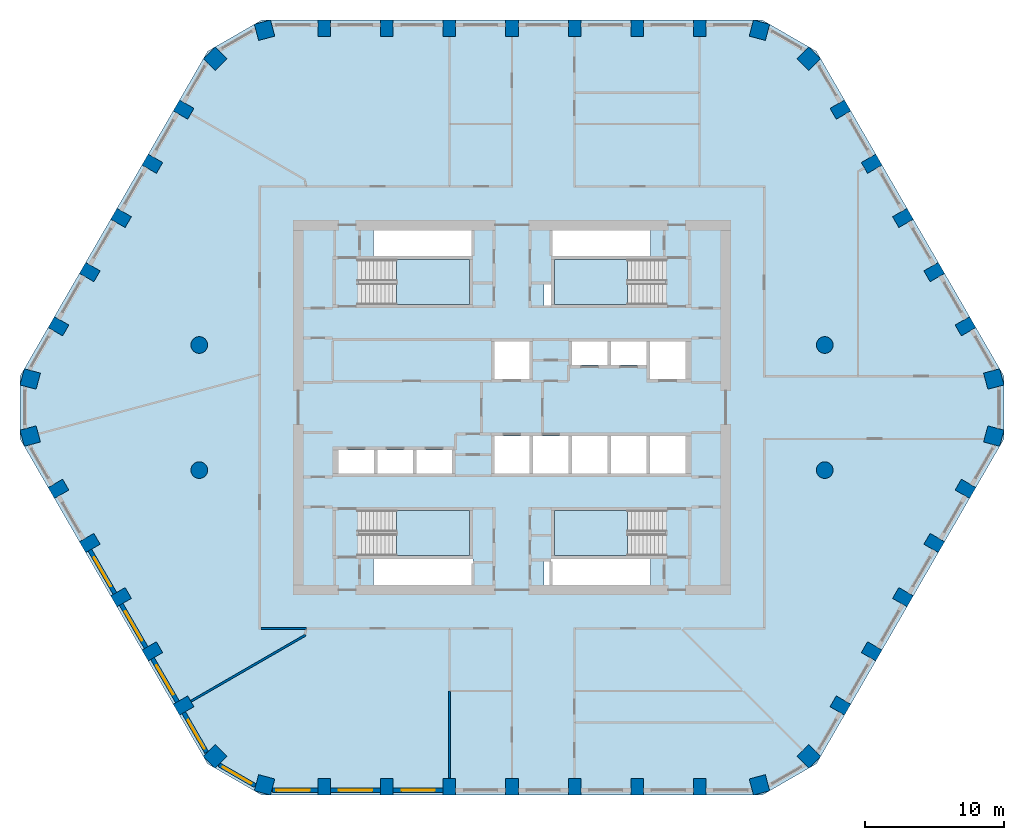
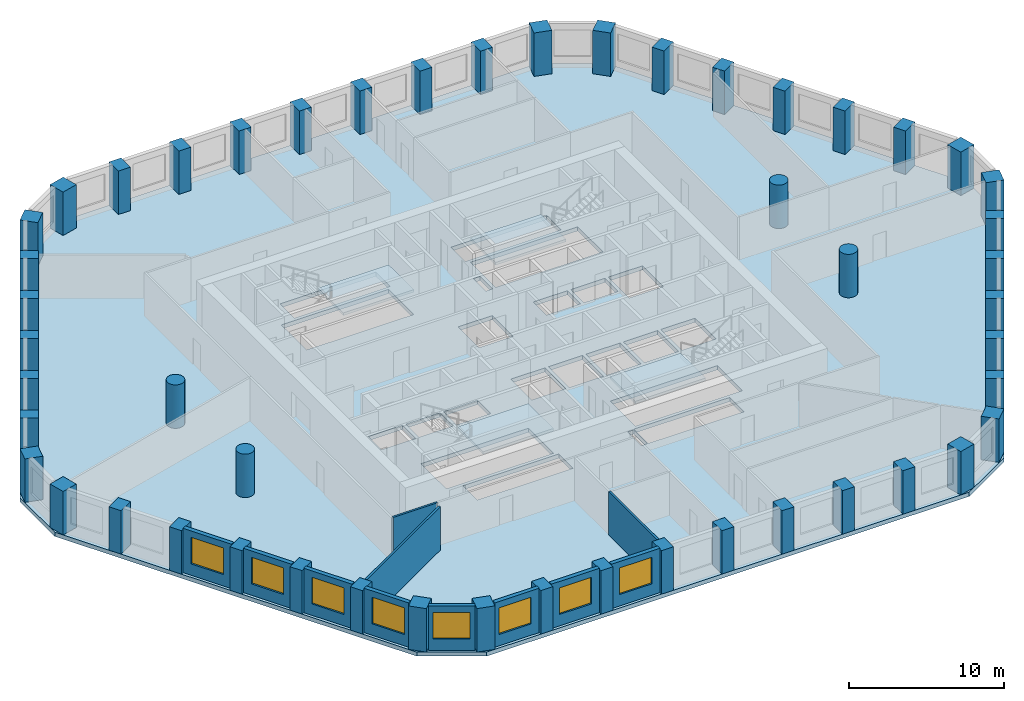
# One storey, part 1 of 9: 50 columns, 11 walls, 8 windows, 5 slabs, 8 openings, 4 elements without a shape of their own.
"""IFC4 building model written with IfcOpenShell, lengths in metres."""

from ifc_helpers import new_model, si_unit, direction, frame, frame_2d, origin, origin_2d, place, context, subcontext, project, spatial, polyline, rectangle, circle, outline, extrude, material, layer, layer_set, material_profile, profile_set, type_object, element, fill, aggregate, save


model = new_model("IFC4")

# Units and contexts
model_context = context("Model", 3, precision=1e-05, world=origin(), true_north=direction((0.0, 1.0)))
body_context = subcontext(model_context, "Body", "Model", "MODEL_VIEW")
ifc_project = project(units=[si_unit("LENGTHUNIT", "METRE"), si_unit("AREAUNIT", "SQUARE_METRE"), si_unit("VOLUMEUNIT", "CUBIC_METRE"), si_unit("PLANEANGLEUNIT", "RADIAN"), si_unit("MASSUNIT", "GRAM", prefix="KILO")], contexts=[model_context])

# Site, building, storey
site_placement = place(None, origin())
site = spatial("IfcSite", under=ifc_project, at=site_placement, CompositionType="ELEMENT")
building_placement = place(site_placement, origin())
building = spatial("IfcBuilding", under=site, at=building_placement, Name="Dhurran Vertical Campus", CompositionType="ELEMENT")
storey_placement = place(building_placement, frame((0.0, 0.0, 175.5)))
storey = spatial("IfcBuildingStorey", under=building, at=storey_placement, Name="L43", CompositionType="ELEMENT", Elevation=175.5)

# Columns
ifc_material_1 = material(Name="Concrete C60/75", Category="concrete")
ifc_material_profile_1 = material_profile(ifc_material_1, rectangle(XDim=1.199951171875, YDim=1.199951171875, at=origin_2d()), Name="RC 1200x1200")
ifc_profile_set_1 = profile_set([ifc_material_profile_1], Name="Concrete C60/75")
column_type_1 = type_object("IfcColumnType", Name="FR COL RC 1200x1200 C60/75", PredefinedType="COLUMN", material=ifc_profile_set_1)
for number, where, z_axis, x_axis, name in (
    (1, (-17.802978515625, -27.147705078125, 0.0), (0.0, 0.0, 1.0), (0.965925826289, -0.258819045103, 0.0), "Perimeter pier PP3.00"),
    (2, (17.802978515625, -27.147705078125, 0.0), (0.0, 0.0, 1.0), (0.965925826289, 0.258819045103, 0.0), "Perimeter pier PP3.08"),
    (3, (21.359130859375, -25.0947265625, 0.0), (0.0, 0.0, 1.0), (0.707106781187, 0.707106781187, 0.0), "Perimeter pier PP3.09"),
    (4, (34.662353515625, -2.052978515625, 0.0), (0.0, 0.0, 1.0), (0.258819045103, 0.965925826289, 0.0), "Perimeter pier PP3.15"),
    (5, (34.662353515625, 2.052978515625, 0.0), (0.0, 0.0, 1.0), (-0.258819045103, 0.965925826289, 0.0), "Perimeter pier PP3.16"),
    (6, (21.359130859375, 25.0947265625, 0.0), (0.0, 0.0, 1.0), (-0.707106781187, 0.707106781187, 0.0), "Perimeter pier PP3.22"),
    (7, (17.802978515625, 27.147705078125, 0.0), (0.0, 0.0, 1.0), (-0.965925826289, 0.258819045103, 0.0), "Perimeter pier PP3.23"),
    (8, (-17.802978515625, 27.147705078125, 0.0), (0.0, 0.0, 1.0), (-0.965925826289, -0.258819045103, 0.0), "Perimeter pier PP3.31"),
    (9, (-21.359130859375, 25.0947265625, 0.0), (0.0, 0.0, 1.0), (-0.707106781187, -0.707106781187, 0.0), "Perimeter pier PP3.32"),
    (10, (-34.662353515625, 2.052978515625, 0.0), (0.0, 0.0, 1.0), (-0.258819045103, -0.965925826289, 0.0), "Perimeter pier PP3.38"),
    (11, (-34.662353515625, -2.052978515625, 0.0), (0.0, 0.0, 1.0), (0.258819045103, -0.965925826289, 0.0), "Perimeter pier PP3.39"),
    (12, (-21.359130859375, -25.0947265625, 0.0), (0.0, 0.0, 1.0), (0.707106781187, -0.707106781187, 0.0), "Perimeter pier PP3.45"),
):
    element("IfcColumn", number, at=place(storey_placement, frame(where, z_axis=z_axis, x_axis=x_axis)), inside=storey, type_object=column_type_1, Name=name, PredefinedType="COLUMN", context=body_context, shape_type="SweptSolid", body=[
        extrude(rectangle(XDim=1.199951171875, YDim=1.199951171875, at=origin_2d()), origin(), (0.0, 0.0, 1.0), 3.425048828125),
    ])
ifc_material_2 = material(Name="Concrete C60/75", Category="concrete")
ifc_material_profile_2 = material_profile(ifc_material_2, rectangle(XDim=0.89990234375, YDim=1.199951171875, at=origin_2d()), Name="RC 900x1200")
ifc_profile_set_2 = profile_set([ifc_material_profile_2], Name="Concrete C60/75")
column_type_2 = type_object("IfcColumnType", Name="FR COL RC 900x1200 C60/75", PredefinedType="COLUMN", material=ifc_profile_set_2)
for number, where, z_axis, x_axis, name in (
    (13, (-13.5, -27.28271484375, 0.0), (0.0, 0.0, 1.0), (1.0, 0.0, 0.0), "Perimeter pier PP3.01"),
    (14, (-9.0, -27.28271484375, 0.0), (0.0, 0.0, 1.0), (1.0, 0.0, 0.0), "Perimeter pier PP3.02"),
    (15, (-4.5, -27.28271484375, 0.0), (0.0, 0.0, 1.0), (1.0, 0.0, 0.0), "Perimeter pier PP3.03"),
    (16, (0.0, -27.28271484375, 0.0), (0.0, 0.0, 1.0), (1.0, 0.0, 0.0), "Perimeter pier PP3.04"),
    (17, (4.5, -27.28271484375, 0.0), (0.0, 0.0, 1.0), (1.0, 0.0, 0.0), "Perimeter pier PP3.05"),
    (18, (9.0, -27.28271484375, 0.0), (0.0, 0.0, 1.0), (1.0, 0.0, 0.0), "Perimeter pier PP3.06"),
    (19, (13.5, -27.28271484375, 0.0), (0.0, 0.0, 1.0), (1.0, 0.0, 0.0), "Perimeter pier PP3.07"),
    (20, (23.62744140625, -21.435546875, 0.0), (0.0, 0.0, 1.0), (0.5, 0.866025403784, 0.0), "Perimeter pier PP3.10"),
    (21, (25.87744140625, -17.53857421875, 0.0), (0.0, 0.0, 1.0), (0.5, 0.866025403784, 0.0), "Perimeter pier PP3.11"),
    (22, (28.12744140625, -13.641357421875, 0.0), (0.0, 0.0, 1.0), (0.5, 0.866025403784, 0.0), "Perimeter pier PP3.12"),
    (23, (30.37744140625, -9.744140625, 0.0), (0.0, 0.0, 1.0), (0.5, 0.866025403784, 0.0), "Perimeter pier PP3.13"),
    (24, (32.62744140625, -5.84716796875, 0.0), (0.0, 0.0, 1.0), (0.5, 0.866025403784, 0.0), "Perimeter pier PP3.14"),
    (25, (32.62744140625, 5.84716796875, 0.0), (0.0, 0.0, 1.0), (-0.5, 0.866025403784, 0.0), "Perimeter pier PP3.17"),
    (26, (30.37744140625, 9.744140625, 0.0), (0.0, 0.0, 1.0), (-0.5, 0.866025403784, 0.0), "Perimeter pier PP3.18"),
    (27, (28.12744140625, 13.641357421875, 0.0), (0.0, 0.0, 1.0), (-0.5, 0.866025403784, 0.0), "Perimeter pier PP3.19"),
    (28, (25.87744140625, 17.53857421875, 0.0), (0.0, 0.0, 1.0), (-0.5, 0.866025403784, 0.0), "Perimeter pier PP3.20"),
    (29, (23.62744140625, 21.435546875, 0.0), (0.0, 0.0, 1.0), (-0.5, 0.866025403784, 0.0), "Perimeter pier PP3.21"),
    (30, (13.5, 27.28271484375, 0.0), (0.0, 0.0, 1.0), (-1.0, 0.0, 0.0), "Perimeter pier PP3.24"),
    (31, (9.0, 27.28271484375, 0.0), (0.0, 0.0, 1.0), (-1.0, 0.0, 0.0), "Perimeter pier PP3.25"),
    (32, (4.5, 27.28271484375, 0.0), (0.0, 0.0, 1.0), (-1.0, 0.0, 0.0), "Perimeter pier PP3.26"),
    (33, (0.0, 27.28271484375, 0.0), (0.0, 0.0, 1.0), (-1.0, 0.0, 0.0), "Perimeter pier PP3.27"),
    (34, (-4.5, 27.28271484375, 0.0), (0.0, 0.0, 1.0), (-1.0, 0.0, 0.0), "Perimeter pier PP3.28"),
    (35, (-9.0, 27.28271484375, 0.0), (0.0, 0.0, 1.0), (-1.0, 0.0, 0.0), "Perimeter pier PP3.29"),
    (36, (-13.5, 27.28271484375, 0.0), (0.0, 0.0, 1.0), (-1.0, 0.0, 0.0), "Perimeter pier PP3.30"),
    (37, (-23.62744140625, 21.435546875, 0.0), (0.0, 0.0, 1.0), (-0.5, -0.866025403784, 0.0), "Perimeter pier PP3.33"),
    (38, (-25.87744140625, 17.53857421875, 0.0), (0.0, 0.0, 1.0), (-0.5, -0.866025403784, 0.0), "Perimeter pier PP3.34"),
    (39, (-28.12744140625, 13.641357421875, 0.0), (0.0, 0.0, 1.0), (-0.5, -0.866025403784, 0.0), "Perimeter pier PP3.35"),
    (40, (-30.37744140625, 9.744140625, 0.0), (0.0, 0.0, 1.0), (-0.5, -0.866025403784, 0.0), "Perimeter pier PP3.36"),
    (41, (-32.62744140625, 5.84716796875, 0.0), (0.0, 0.0, 1.0), (-0.5, -0.866025403784, 0.0), "Perimeter pier PP3.37"),
    (42, (-32.62744140625, -5.84716796875, 0.0), (0.0, 0.0, 1.0), (0.5, -0.866025403784, 0.0), "Perimeter pier PP3.40"),
    (43, (-30.37744140625, -9.744140625, 0.0), (0.0, 0.0, 1.0), (0.5, -0.866025403784, 0.0), "Perimeter pier PP3.41"),
    (44, (-28.12744140625, -13.641357421875, 0.0), (0.0, 0.0, 1.0), (0.5, -0.866025403784, 0.0), "Perimeter pier PP3.42"),
    (45, (-25.87744140625, -17.53857421875, 0.0), (0.0, 0.0, 1.0), (0.5, -0.866025403784, 0.0), "Perimeter pier PP3.43"),
    (46, (-23.62744140625, -21.435546875, 0.0), (0.0, 0.0, 1.0), (0.5, -0.866025403784, 0.0), "Perimeter pier PP3.44"),
):
    element("IfcColumn", number, at=place(storey_placement, frame(where, z_axis=z_axis, x_axis=x_axis)), inside=storey, type_object=column_type_2, Name=name, PredefinedType="COLUMN", context=body_context, shape_type="SweptSolid", body=[
        extrude(rectangle(XDim=0.89990234375, YDim=1.199951171875, at=origin_2d()), origin(), (0.0, 0.0, 1.0), 3.425048828125),
    ])
ifc_material_3 = material(Name="Concrete C60/75", Category="concrete")
ifc_material_profile_3 = material_profile(ifc_material_3, circle(Radius=0.60009765625, at=origin_2d()), Name="RCC D1200")
ifc_profile_set_3 = profile_set([ifc_material_profile_3], Name="Concrete C60/75")
column_type_3 = type_object("IfcColumnType", Name="FR COL RCC D1200 C60/75", PredefinedType="COLUMN", material=ifc_profile_set_3)
for number, where, z_axis, x_axis, name in (
    (47, (-22.5, -4.5, 0.0), (0.0, 0.0, 1.0), (1.0, 0.0, 0.0), "Inner column IC3-D5"),
    (48, (-22.5, 4.5, 0.0), (0.0, 0.0, 1.0), (1.0, 0.0, 0.0), "Inner column IC3-D6"),
    (49, (22.5, -4.5, 0.0), (0.0, 0.0, 1.0), (1.0, 0.0, 0.0), "Inner column IC3-J5"),
    (50, (22.5, 4.5, 0.0), (0.0, 0.0, 1.0), (1.0, 0.0, 0.0), "Inner column IC3-J6"),
):
    element("IfcColumn", number, at=place(storey_placement, frame(where, z_axis=z_axis, x_axis=x_axis)), inside=storey, type_object=column_type_3, Name=name, PredefinedType="COLUMN", context=body_context, shape_type="SweptSolid", body=[
        extrude(circle(Radius=0.60009765625, at=origin_2d()), origin(), (0.0, 0.0, 1.0), 3.425048828125),
    ])

# Slab
ifc_material_4 = material(Name="Concrete C40/50", Category="concrete")
ifc_layer_1 = layer(ifc_material_4, 0.324951171875)
ifc_layer_set_1 = layer_set([ifc_layer_1], Name="Concrete C40/50")
slab_type_1 = type_object("IfcSlabType", Name="FR POST-TENSIONED FLAT SLAB 325", PredefinedType="FLOOR", material=ifc_layer_set_1)
slab_1_placement = place(storey_placement, frame((0.0, 0.0, -0.324951171875)))
element("IfcSlab", 51, at=slab_1_placement, inside=storey, type_object=slab_type_1, Name="Floor slab L43", PredefinedType="FLOOR", context=body_context, shape_type="SweptSolid", body=[
    extrude(outline(polyline([(-18.0, -27.8828125), (18.0, -27.8828125), (21.897216796875, -25.6328125), (35.397216796875, -2.25), (35.397216796875, 2.25), (21.897216796875, 25.6328125), (18.0, 27.8828125), (-18.0, 27.8828125), (-21.897216796875, 25.6328125), (-35.397216796875, 2.25), (-35.397216796875, -2.25), (-21.897216796875, -25.6328125), (-18.0, -27.8828125)]), holes=[polyline([(-1.27490234375, 2.050048828125), (1.27490234375, 2.050048828125), (1.27490234375, 4.75), (-1.27490234375, 4.75), (-1.27490234375, 2.050048828125)]), polyline([(9.925048828125, 2.050048828125), (12.47509765625, 2.050048828125), (12.47509765625, 4.75), (9.925048828125, 4.75), (9.925048828125, 2.050048828125)]), polyline([(-1.27490234375, -4.75), (1.27490234375, -4.75), (1.27490234375, -2.050048828125), (-1.27490234375, -2.050048828125), (-1.27490234375, -4.75)]), polyline([(1.52490234375, -4.75), (4.074951171875, -4.75), (4.074951171875, -2.050048828125), (1.52490234375, -2.050048828125), (1.52490234375, -4.75)]), polyline([(4.324951171875, -4.75), (6.875, -4.75), (6.875, -2.050048828125), (4.324951171875, -2.050048828125), (4.324951171875, -4.75)]), polyline([(7.125, -4.75), (9.675048828125, -4.75), (9.675048828125, -2.050048828125), (7.125, -2.050048828125), (7.125, -4.75)]), polyline([(9.925048828125, -4.75), (12.47509765625, -4.75), (12.47509765625, -2.050048828125), (9.925048828125, -2.050048828125), (9.925048828125, -4.75)]), polyline([(4.324951171875, 3.050048828125), (6.875, 3.050048828125), (6.875, 4.75), (4.324951171875, 4.75), (4.324951171875, 3.050048828125)]), polyline([(7.125, 3.050048828125), (9.675048828125, 3.050048828125), (9.675048828125, 4.75), (7.125, 4.75), (7.125, 3.050048828125)]), polyline([(-12.47509765625, -4.75), (-9.925048828125, -4.75), (-9.925048828125, -3.050048828125), (-12.47509765625, -3.050048828125), (-12.47509765625, -4.75)]), polyline([(-9.675048828125, -4.75), (-7.125, -4.75), (-7.125, -3.050048828125), (-9.675048828125, -3.050048828125), (-9.675048828125, -4.75)]), polyline([(-6.875, -4.75), (-4.324951171875, -4.75), (-4.324951171875, -3.050048828125), (-6.875, -3.050048828125), (-6.875, -4.75)]), polyline([(-11.050048828125, 7.39990234375), (-3.050048828125, 7.39990234375), (-3.050048828125, 10.64990234375), (-11.050048828125, 10.64990234375), (-11.050048828125, 7.39990234375)]), polyline([(3.050048828125, 7.39990234375), (11.050048828125, 7.39990234375), (11.050048828125, 10.64990234375), (3.050048828125, 10.64990234375), (3.050048828125, 7.39990234375)]), polyline([(-11.050048828125, -10.64990234375), (-3.050048828125, -10.64990234375), (-3.050048828125, -7.39990234375), (-11.050048828125, -7.39990234375), (-11.050048828125, -10.64990234375)]), polyline([(3.050048828125, -10.64990234375), (11.050048828125, -10.64990234375), (11.050048828125, -7.39990234375), (3.050048828125, -7.39990234375), (3.050048828125, -10.64990234375)]), polyline([(-9.949951171875, 10.89990234375), (-9.949951171875, 12.75), (-2.800048828125, 12.75), (-2.800048828125, 10.89990234375), (-9.949951171875, 10.89990234375)]), polyline([(9.949951171875, 12.75), (9.949951171875, 10.89990234375), (2.800048828125, 10.89990234375), (2.800048828125, 12.75), (9.949951171875, 12.75)]), polyline([(-9.949951171875, -12.75), (-9.949951171875, -10.89990234375), (-2.800048828125, -10.89990234375), (-2.800048828125, -12.75), (-9.949951171875, -12.75)]), polyline([(9.949951171875, -10.89990234375), (9.949951171875, -12.75), (2.800048828125, -12.75), (2.800048828125, -10.89990234375), (9.949951171875, -10.89990234375)]), polyline([(2.300048828125, 7.35009765625), (2.300048828125, 8.969970703125), (2.800048828125, 8.969970703125), (2.800048828125, 7.35009765625), (2.300048828125, 7.35009765625)]), polyline([(2.300048828125, -12.75), (2.300048828125, -10.968017578125), (2.75, -10.968017578125), (2.75, -12.75), (2.300048828125, -12.75)])]), origin(), (0.0, 0.0, 1.0), 0.324951171875),
])

# Stair, slab
ifc_material_5 = material(Name="Concrete C40/50", Category="concrete")
stair_type = type_object("IfcStairType", Name="co-ST-CORE", PredefinedType="HALF_TURN_STAIR", material=ifc_material_5)
stair_1_placement = place(storey_placement, origin())
stair_1 = element("IfcStair", 52, at=stair_1_placement, inside=storey, type_object=stair_type, Name="L43 Protected exit stair ST1", PredefinedType="HALF_TURN_STAIR")
ifc_material_6 = material(Name="Concrete C40/50", Category="concrete")
ifc_layer_2 = layer(ifc_material_6, 0.199951171875)
ifc_layer_set_2 = layer_set([ifc_layer_2], Name="Concrete C40/50")
slab_type_2 = type_object("IfcSlabType", Name="co-SL-LANDING", PredefinedType="LANDING", material=ifc_layer_set_2)
slab_2_placement = place(storey_placement, frame((0.0, 0.0, 1.75)))
slab_2 = element("IfcSlab", 53, at=slab_2_placement, type_object=slab_type_2, Name="ST1 landing 1", PredefinedType="LANDING", context=body_context, shape_type="SweptSolid", body=[
    extrude(outline(polyline([(-8.300048828125, 7.39990234375), (-3.050048828125, 7.39990234375), (-3.050048828125, 10.64990234375), (-8.300048828125, 10.64990234375), (-8.300048828125, 7.39990234375)])), origin(), (0.0, 0.0, 1.0), 0.199951171875),
])
aggregate(stair_1, [slab_2])

stair_2_placement = place(storey_placement, origin())
stair_2 = element("IfcStair", 54, at=stair_2_placement, inside=storey, type_object=stair_type, Name="L43 Protected exit stair ST2", PredefinedType="HALF_TURN_STAIR")
slab_3_placement = place(storey_placement, frame((0.0, 0.0, 1.75)))
slab_3 = element("IfcSlab", 55, at=slab_3_placement, type_object=slab_type_2, Name="ST2 landing 1", PredefinedType="LANDING", context=body_context, shape_type="SweptSolid", body=[
    extrude(outline(polyline([(8.300048828125, 10.64990234375), (3.050048828125, 10.64990234375), (3.050048828125, 7.39990234375), (8.300048828125, 7.39990234375), (8.300048828125, 10.64990234375)])), origin(), (0.0, 0.0, 1.0), 0.199951171875),
])
aggregate(stair_2, [slab_3])

stair_3_placement = place(storey_placement, origin())
stair_3 = element("IfcStair", 56, at=stair_3_placement, inside=storey, type_object=stair_type, Name="L43 Protected exit stair ST3", PredefinedType="HALF_TURN_STAIR")
slab_4_placement = place(storey_placement, frame((0.0, 0.0, 1.75)))
slab_4 = element("IfcSlab", 57, at=slab_4_placement, type_object=slab_type_2, Name="ST3 landing 1", PredefinedType="LANDING", context=body_context, shape_type="SweptSolid", body=[
    extrude(outline(polyline([(-8.300048828125, -10.64990234375), (-3.050048828125, -10.64990234375), (-3.050048828125, -7.39990234375), (-8.300048828125, -7.39990234375), (-8.300048828125, -10.64990234375)])), origin(), (0.0, 0.0, 1.0), 0.199951171875),
])
aggregate(stair_3, [slab_4])

stair_4_placement = place(storey_placement, origin())
stair_4 = element("IfcStair", 58, at=stair_4_placement, inside=storey, type_object=stair_type, Name="L43 Protected exit stair ST4", PredefinedType="HALF_TURN_STAIR")
slab_5_placement = place(storey_placement, frame((0.0, 0.0, 1.75)))
slab_5 = element("IfcSlab", 59, at=slab_5_placement, type_object=slab_type_2, Name="ST4 landing 1", PredefinedType="LANDING", context=body_context, shape_type="SweptSolid", body=[
    extrude(outline(polyline([(8.300048828125, -7.39990234375), (3.050048828125, -7.39990234375), (3.050048828125, -10.64990234375), (8.300048828125, -10.64990234375), (8.300048828125, -7.39990234375)])), origin(), (0.0, 0.0, 1.0), 0.199951171875),
])
aggregate(stair_4, [slab_5])

# Wall, opening, window
ifc_material_7 = material(Name="Precast concrete C50/60", Category="concrete")
ifc_layer_3 = layer(ifc_material_7, 0.300048828125)
ifc_layer_set_3 = layer_set([ifc_layer_3], Name="Precast concrete C50/60")
wall_type_1 = type_object("IfcWallType", Name="Precast spandrel wall 300", PredefinedType="SOLIDWALL", material=ifc_layer_set_3)
wall_1_placement = place(storey_placement, frame((-17.24462890625, -27.53271484375, 0.0), z_axis=(0.0, 0.0, 1.0), x_axis=(1.0, 0.0, 0.0)))
wall_1 = element("IfcWall", 60, at=wall_1_placement, inside=storey, type_object=wall_type_1, Name="EW1 L43.00", PredefinedType="SOLIDWALL", context=body_context, shape_type="SweptSolid", body=[
    extrude(rectangle(XDim=3.294189453125, YDim=0.300048828125, at=frame_2d((1.64697265625, 0.0))), origin(), (0.0, 0.0, 1.0), 3.5),
])
opening_1_placement = place(wall_1_placement, frame((0.294677734375, 0.0, 0.89990234375)))
opening_1 = element("IfcOpeningElement", 61, at=opening_1_placement, cuts=wall_1, Name="Opening WT1", PredefinedType="OPENING", context=body_context, shape_type="SweptSolid", body=[
    extrude(rectangle(XDim=2.39990234375, YDim=2.10009765625, at=frame_2d((1.199951171875, 1.050048828125))), frame((0.0, 0.159912109375, 0.0), z_axis=(0.0, -1.0, 0.0), x_axis=(1.0, 0.0, 0.0)), (0.0, 0.0, 1.0), 0.320068359375),
])
ifc_material_8 = material(Name="Aluminium frame with solar-control glass", Category="aluminium")
window_type = type_object("IfcWindowType", Name="Punched window 2400 x 2100", PartitioningType="SINGLE_PANEL", PredefinedType="WINDOW", material=ifc_material_8)
window_1_placement = place(opening_1_placement, origin())
window_1 = element("IfcWindow", 62, at=window_1_placement, inside=storey, type_object=window_type, Name="WT1 L43.00", OverallHeight=2.10009765625, OverallWidth=2.39990234375, PartitioningType="SINGLE_PANEL", PredefinedType="WINDOW", context=body_context, shape_type="SweptSolid", body=[
    extrude(rectangle(XDim=2.39990234375, YDim=2.10009765625, at=frame_2d((1.199951171875, 1.050048828125))), frame((0.0, 0.030029296875, 0.0), z_axis=(0.0, -1.0, 0.0), x_axis=(1.0, 0.0, 0.0)), (0.0, 0.0, 1.0), 0.06005859375),
])
fill(opening_1, window_1)

wall_2_placement = place(storey_placement, frame((-13.049560546875, -27.53271484375, 0.0), z_axis=(0.0, 0.0, 1.0), x_axis=(1.0, 0.0, 0.0)))
wall_2 = element("IfcWall", 63, at=wall_2_placement, inside=storey, type_object=wall_type_1, Name="EW1 L43.01", PredefinedType="SOLIDWALL", context=body_context, shape_type="SweptSolid", body=[
    extrude(rectangle(XDim=3.59912109375, YDim=0.300048828125, at=frame_2d((1.799560546875, 0.0))), origin(), (0.0, 0.0, 1.0), 3.5),
])
opening_2_placement = place(wall_2_placement, frame((0.599609375, 0.0, 0.89990234375)))
opening_2 = element("IfcOpeningElement", 64, at=opening_2_placement, cuts=wall_2, Name="Opening WT1", PredefinedType="OPENING", context=body_context, shape_type="SweptSolid", body=[
    extrude(rectangle(XDim=2.39990234375, YDim=2.10009765625, at=frame_2d((1.199951171875, 1.050048828125))), frame((0.0, 0.159912109375, 0.0), z_axis=(0.0, -1.0, 0.0), x_axis=(1.0, 0.0, 0.0)), (0.0, 0.0, 1.0), 0.320068359375),
])
window_2_placement = place(opening_2_placement, origin())
window_2 = element("IfcWindow", 65, at=window_2_placement, inside=storey, type_object=window_type, Name="WT1 L43.01", OverallHeight=2.10009765625, OverallWidth=2.39990234375, PartitioningType="SINGLE_PANEL", PredefinedType="WINDOW", context=body_context, shape_type="SweptSolid", body=[
    extrude(rectangle(XDim=2.39990234375, YDim=2.10009765625, at=frame_2d((1.199951171875, 1.050048828125))), frame((0.0, 0.030029296875, 0.0), z_axis=(0.0, -1.0, 0.0), x_axis=(1.0, 0.0, 0.0)), (0.0, 0.0, 1.0), 0.06005859375),
])
fill(opening_2, window_2)

wall_3_placement = place(storey_placement, frame((-8.549560546875, -27.53271484375, 0.0), z_axis=(0.0, 0.0, 1.0), x_axis=(1.0, 0.0, 0.0)))
wall_3 = element("IfcWall", 66, at=wall_3_placement, inside=storey, type_object=wall_type_1, Name="EW1 L43.02", PredefinedType="SOLIDWALL", context=body_context, shape_type="SweptSolid", body=[
    extrude(rectangle(XDim=3.59912109375, YDim=0.300048828125, at=frame_2d((1.799560546875, 0.0))), origin(), (0.0, 0.0, 1.0), 3.5),
])
opening_3_placement = place(wall_3_placement, frame((0.599609375, 0.0, 0.89990234375)))
opening_3 = element("IfcOpeningElement", 67, at=opening_3_placement, cuts=wall_3, Name="Opening WT1", PredefinedType="OPENING", context=body_context, shape_type="SweptSolid", body=[
    extrude(rectangle(XDim=2.39990234375, YDim=2.10009765625, at=frame_2d((1.199951171875, 1.050048828125))), frame((0.0, 0.159912109375, 0.0), z_axis=(0.0, -1.0, 0.0), x_axis=(1.0, 0.0, 0.0)), (0.0, 0.0, 1.0), 0.320068359375),
])
window_3_placement = place(opening_3_placement, origin())
window_3 = element("IfcWindow", 68, at=window_3_placement, inside=storey, type_object=window_type, Name="WT1 L43.02", OverallHeight=2.10009765625, OverallWidth=2.39990234375, PartitioningType="SINGLE_PANEL", PredefinedType="WINDOW", context=body_context, shape_type="SweptSolid", body=[
    extrude(rectangle(XDim=2.39990234375, YDim=2.10009765625, at=frame_2d((1.199951171875, 1.050048828125))), frame((0.0, 0.030029296875, 0.0), z_axis=(0.0, -1.0, 0.0), x_axis=(1.0, 0.0, 0.0)), (0.0, 0.0, 1.0), 0.06005859375),
])
fill(opening_3, window_3)

wall_4_placement = place(storey_placement, frame((-30.368896484375, -10.259521484375, 0.0), z_axis=(0.0, 0.0, 1.0), x_axis=(0.500027802648, -0.866009351323, 0.0)))
wall_4 = element("IfcWall", 69, at=wall_4_placement, inside=storey, type_object=wall_type_1, Name="EW1 L43.41", PredefinedType="SOLIDWALL", context=body_context, shape_type="SweptSolid", body=[
    extrude(rectangle(XDim=3.598876953125, YDim=0.300048828125, at=frame_2d((1.79931640625, 0.0))), origin(), (0.0, 0.0, 1.0), 3.5),
])
opening_4_placement = place(wall_4_placement, frame((0.599609375, 0.0, 0.89990234375)))
opening_4 = element("IfcOpeningElement", 70, at=opening_4_placement, cuts=wall_4, Name="Opening WT1", PredefinedType="OPENING", context=body_context, shape_type="SweptSolid", body=[
    extrude(rectangle(XDim=2.39990234375, YDim=2.10009765625, at=frame_2d((1.199951171875, 1.050048828125))), frame((0.0, 0.159912109375, 0.0), z_axis=(0.0, -1.0, 0.0), x_axis=(1.0, 0.0, 0.0)), (0.0, 0.0, 1.0), 0.320068359375),
])
window_4_placement = place(opening_4_placement, origin())
window_4 = element("IfcWindow", 71, at=window_4_placement, inside=storey, type_object=window_type, Name="WT1 L43.41", OverallHeight=2.10009765625, OverallWidth=2.39990234375, PartitioningType="SINGLE_PANEL", PredefinedType="WINDOW", context=body_context, shape_type="SweptSolid", body=[
    extrude(rectangle(XDim=2.39990234375, YDim=2.10009765625, at=frame_2d((1.199951171875, 1.050048828125))), frame((0.0, 0.030029296875, 0.0), z_axis=(0.0, -1.0, 0.0), x_axis=(1.0, 0.0, 0.0)), (0.0, 0.0, 1.0), 0.06005859375),
])
fill(opening_4, window_4)

wall_5_placement = place(storey_placement, frame((-28.118896484375, -14.156494140625, 0.0), z_axis=(0.0, 0.0, 1.0), x_axis=(0.500027802648, -0.866009351323, 0.0)))
wall_5 = element("IfcWall", 72, at=wall_5_placement, inside=storey, type_object=wall_type_1, Name="EW1 L43.42", PredefinedType="SOLIDWALL", context=body_context, shape_type="SweptSolid", body=[
    extrude(rectangle(XDim=3.598876953125, YDim=0.300048828125, at=frame_2d((1.79931640625, 0.0))), origin(), (0.0, 0.0, 1.0), 3.5),
])
opening_5_placement = place(wall_5_placement, frame((0.599609375, 0.0, 0.89990234375)))
opening_5 = element("IfcOpeningElement", 73, at=opening_5_placement, cuts=wall_5, Name="Opening WT1", PredefinedType="OPENING", context=body_context, shape_type="SweptSolid", body=[
    extrude(rectangle(XDim=2.39990234375, YDim=2.10009765625, at=frame_2d((1.199951171875, 1.050048828125))), frame((0.0, 0.159912109375, 0.0), z_axis=(0.0, -1.0, 0.0), x_axis=(1.0, 0.0, 0.0)), (0.0, 0.0, 1.0), 0.320068359375),
])
window_5_placement = place(opening_5_placement, origin())
window_5 = element("IfcWindow", 74, at=window_5_placement, inside=storey, type_object=window_type, Name="WT1 L43.42", OverallHeight=2.10009765625, OverallWidth=2.39990234375, PartitioningType="SINGLE_PANEL", PredefinedType="WINDOW", context=body_context, shape_type="SweptSolid", body=[
    extrude(rectangle(XDim=2.39990234375, YDim=2.10009765625, at=frame_2d((1.199951171875, 1.050048828125))), frame((0.0, 0.030029296875, 0.0), z_axis=(0.0, -1.0, 0.0), x_axis=(1.0, 0.0, 0.0)), (0.0, 0.0, 1.0), 0.06005859375),
])
fill(opening_5, window_5)

wall_6_placement = place(storey_placement, frame((-25.868896484375, -18.0537109375, 0.0), z_axis=(0.0, 0.0, 1.0), x_axis=(0.500027802648, -0.866009351323, 0.0)))
wall_6 = element("IfcWall", 75, at=wall_6_placement, inside=storey, type_object=wall_type_1, Name="EW1 L43.43", PredefinedType="SOLIDWALL", context=body_context, shape_type="SweptSolid", body=[
    extrude(rectangle(XDim=3.598876953125, YDim=0.300048828125, at=frame_2d((1.79931640625, 0.0))), origin(), (0.0, 0.0, 1.0), 3.5),
])
opening_6_placement = place(wall_6_placement, frame((0.599609375, 0.0, 0.89990234375)))
opening_6 = element("IfcOpeningElement", 76, at=opening_6_placement, cuts=wall_6, Name="Opening WT1", PredefinedType="OPENING", context=body_context, shape_type="SweptSolid", body=[
    extrude(rectangle(XDim=2.39990234375, YDim=2.10009765625, at=frame_2d((1.199951171875, 1.050048828125))), frame((0.0, 0.159912109375, 0.0), z_axis=(0.0, -1.0, 0.0), x_axis=(1.0, 0.0, 0.0)), (0.0, 0.0, 1.0), 0.320068359375),
])
window_6_placement = place(opening_6_placement, origin())
window_6 = element("IfcWindow", 77, at=window_6_placement, inside=storey, type_object=window_type, Name="WT1 L43.43", OverallHeight=2.10009765625, OverallWidth=2.39990234375, PartitioningType="SINGLE_PANEL", PredefinedType="WINDOW", context=body_context, shape_type="SweptSolid", body=[
    extrude(rectangle(XDim=2.39990234375, YDim=2.10009765625, at=frame_2d((1.199951171875, 1.050048828125))), frame((0.0, 0.030029296875, 0.0), z_axis=(0.0, -1.0, 0.0), x_axis=(1.0, 0.0, 0.0)), (0.0, 0.0, 1.0), 0.06005859375),
])
fill(opening_6, window_6)

wall_7_placement = place(storey_placement, frame((-23.618896484375, -21.95068359375, 0.0), z_axis=(0.0, 0.0, 1.0), x_axis=(0.500036802197, -0.866004154983, 0.0)))
wall_7 = element("IfcWall", 78, at=wall_7_placement, inside=storey, type_object=wall_type_1, Name="EW1 L43.44", PredefinedType="SOLIDWALL", context=body_context, shape_type="SweptSolid", body=[
    extrude(rectangle(XDim=3.294189453125, YDim=0.300048828125, at=frame_2d((1.64697265625, 0.0))), origin(), (0.0, 0.0, 1.0), 3.5),
])
opening_7_placement = place(wall_7_placement, frame((0.599609375, 0.0, 0.89990234375)))
opening_7 = element("IfcOpeningElement", 79, at=opening_7_placement, cuts=wall_7, Name="Opening WT1", PredefinedType="OPENING", context=body_context, shape_type="SweptSolid", body=[
    extrude(rectangle(XDim=2.39990234375, YDim=2.10009765625, at=frame_2d((1.199951171875, 1.050048828125))), frame((0.0, 0.159912109375, 0.0), z_axis=(0.0, -1.0, 0.0), x_axis=(1.0, 0.0, 0.0)), (0.0, 0.0, 1.0), 0.320068359375),
])
window_7_placement = place(opening_7_placement, origin())
window_7 = element("IfcWindow", 80, at=window_7_placement, inside=storey, type_object=window_type, Name="WT1 L43.44", OverallHeight=2.10009765625, OverallWidth=2.39990234375, PartitioningType="SINGLE_PANEL", PredefinedType="WINDOW", context=body_context, shape_type="SweptSolid", body=[
    extrude(rectangle(XDim=2.39990234375, YDim=2.10009765625, at=frame_2d((1.199951171875, 1.050048828125))), frame((0.0, 0.030029296875, 0.0), z_axis=(0.0, -1.0, 0.0), x_axis=(1.0, 0.0, 0.0)), (0.0, 0.0, 1.0), 0.06005859375),
])
fill(opening_7, window_7)

wall_8_placement = place(storey_placement, frame((-21.06787109375, -25.707275390625, 0.0), z_axis=(0.0, 0.0, 1.0), x_axis=(0.866012844897, -0.500021752, 0.0)))
wall_8 = element("IfcWall", 81, at=wall_8_placement, inside=storey, type_object=wall_type_1, Name="EW1 L43.45", PredefinedType="SOLIDWALL", context=body_context, shape_type="SweptSolid", body=[
    extrude(rectangle(XDim=2.989013671875, YDim=0.300048828125, at=frame_2d((1.49462890625, 0.0))), origin(), (0.0, 0.0, 1.0), 3.5),
])
opening_8_placement = place(wall_8_placement, frame((0.294677734375, 0.0, 0.89990234375)))
opening_8 = element("IfcOpeningElement", 82, at=opening_8_placement, cuts=wall_8, Name="Opening WT1", PredefinedType="OPENING", context=body_context, shape_type="SweptSolid", body=[
    extrude(rectangle(XDim=2.39990234375, YDim=2.10009765625, at=frame_2d((1.199951171875, 1.050048828125))), frame((0.0, 0.159912109375, 0.0), z_axis=(0.0, -1.0, 0.0), x_axis=(1.0, 0.0, 0.0)), (0.0, 0.0, 1.0), 0.320068359375),
])
window_8_placement = place(opening_8_placement, origin())
window_8 = element("IfcWindow", 83, at=window_8_placement, inside=storey, type_object=window_type, Name="WT1 L43.45", OverallHeight=2.10009765625, OverallWidth=2.39990234375, PartitioningType="SINGLE_PANEL", PredefinedType="WINDOW", context=body_context, shape_type="SweptSolid", body=[
    extrude(rectangle(XDim=2.39990234375, YDim=2.10009765625, at=frame_2d((1.199951171875, 1.050048828125))), frame((0.0, 0.030029296875, 0.0), z_axis=(0.0, -1.0, 0.0), x_axis=(1.0, 0.0, 0.0)), (0.0, 0.0, 1.0), 0.06005859375),
])
fill(opening_8, window_8)

# Walls
ifc_material_9 = material(Name="Gypsum board corridor wall on steel studs", Category="steel")
ifc_layer_4 = layer(ifc_material_9, 0.14990234375)
ifc_layer_set_4 = layer_set([ifc_layer_4], Name="Gypsum board corridor wall on steel studs")
wall_type_2 = type_object("IfcWallType", Name="fl-CW-150 corridor wall", PredefinedType="PARTITIONING", material=ifc_layer_set_4)
wall_9_placement = place(storey_placement, frame((-18.074951171875, -15.89990234375, 0.0), z_axis=(0.0, 0.0, 1.0), x_axis=(1.0, 0.0, 0.0)))
element("IfcWall", 84, at=wall_9_placement, inside=storey, type_object=wall_type_2, Name="Partition 43-05", PredefinedType="PARTITIONING", context=body_context, shape_type="SweptSolid", body=[
    extrude(rectangle(XDim=3.285888671875, YDim=0.14990234375, at=frame_2d((1.64306640625, 0.0))), origin(), (0.0, 0.0, 1.0), 3.425048828125),
])
ifc_material_10 = material(Name="Gypsum board partition on steel studs", Category="steel")
ifc_layer_5 = layer(ifc_material_10, 0.14990234375)
ifc_layer_set_5 = layer_set([ifc_layer_5], Name="Gypsum board partition on steel studs")
wall_type_3 = type_object("IfcWallType", Name="fl-PW-150 fixed partition", PredefinedType="PARTITIONING", material=ifc_layer_set_5)
wall_10_placement = place(storey_placement, frame((-14.861083984375, -16.37451171875, 0.0), z_axis=(0.0, 0.0, 1.0), x_axis=(-0.866011447264, -0.500024172624, 0.0)))
element("IfcWall", 85, at=wall_10_placement, inside=storey, type_object=wall_type_3, Name="Partition 43-02", PredefinedType="PARTITIONING", context=body_context, shape_type="SweptSolid", body=[
    extrude(rectangle(XDim=9.50244140625, YDim=0.14990234375, at=frame_2d((4.751220703125, 0.0))), origin(), (0.0, 0.0, 1.0), 3.425048828125),
])
wall_11_placement = place(storey_placement, frame((-4.5, -20.39990234375, 0.0), z_axis=(0.0, 0.0, 1.0), x_axis=(0.0, -1.0, 0.0)))
element("IfcWall", 86, at=wall_11_placement, inside=storey, type_object=wall_type_3, Name="Partition 43-12", PredefinedType="PARTITIONING", context=body_context, shape_type="SweptSolid", body=[
    extrude(rectangle(XDim=6.2626953125, YDim=0.14990234375, at=frame_2d((3.13134765625, 0.0))), origin(), (0.0, 0.0, 1.0), 3.425048828125),
])

save(model, "model.ifc")
